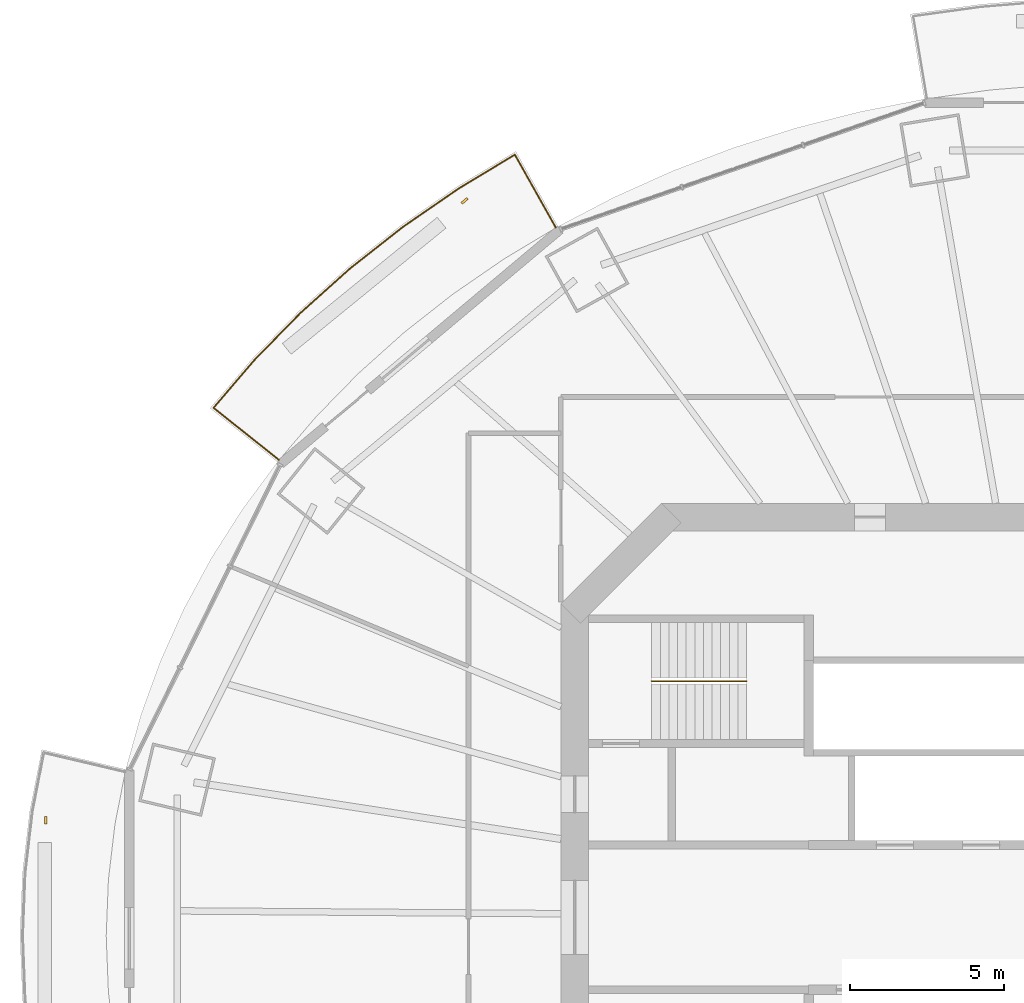
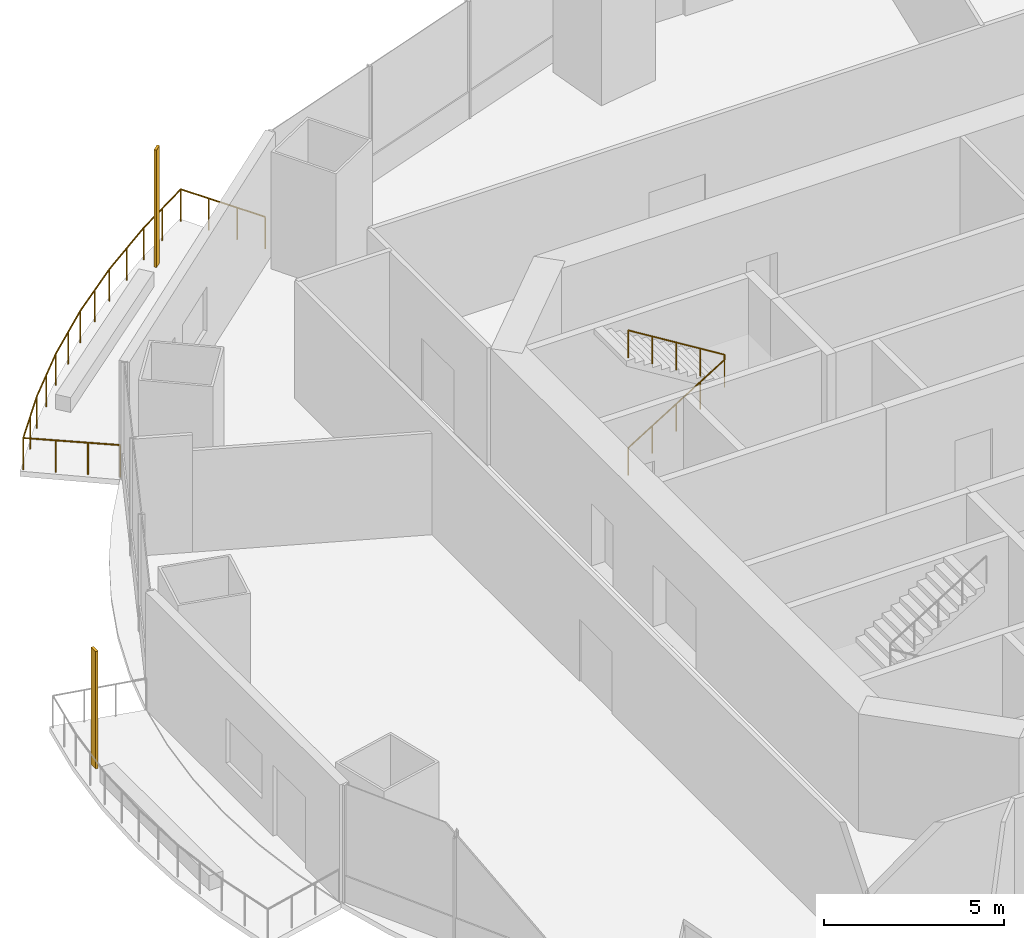
# One storey, part 18 of 21: 2 railings, 2 shading devices.
"""IFC4 building model written with IfcOpenShell, lengths in metres."""

from ifc_helpers import new_model, si_unit, direction, frame, origin, origin_2d, place, context, subcontext, project, spatial, rectangle, circle, extrude, material, material_profile, profile_set, type_object, element, save


model = new_model("IFC4")

# Units and contexts
model_context = context("Model", 3, precision=1e-05, world=origin(), true_north=direction((0.0, 1.0)))
body_context = subcontext(model_context, "Body", "Model", "MODEL_VIEW")
ifc_project = project(units=[si_unit("LENGTHUNIT", "METRE"), si_unit("AREAUNIT", "SQUARE_METRE"), si_unit("VOLUMEUNIT", "CUBIC_METRE"), si_unit("PLANEANGLEUNIT", "RADIAN"), si_unit("MASSUNIT", "GRAM", prefix="KILO")], contexts=[model_context])

# Site, building, storey
site_placement = place(None, origin())
site = spatial("IfcSite", under=ifc_project, at=site_placement, CompositionType="ELEMENT")
building_placement = place(site_placement, origin())
building = spatial("IfcBuilding", under=site, at=building_placement, Name="Marenthal Gate Tower", CompositionType="ELEMENT")
storey_placement = place(building_placement, frame((0.0, 0.0, 165.199951171875)))
storey = spatial("IfcBuildingStorey", under=building, at=storey_placement, Name="L35", CompositionType="ELEMENT", Elevation=165.199951171875)

# Railings
ifc_material_1 = material(Name="Stainless steel", Category="steel")
railing_type_1 = type_object("IfcRailingType", Name="Balcony guard 1100", PredefinedType="GUARDRAIL", material=ifc_material_1)
railing_1_placement = place(storey_placement, frame((-25.6044921875, 14.858642578125, 0.0)))
element("IfcRailing", 1, at=railing_1_placement, inside=storey, type_object=railing_type_1, Name="Balcony guard L35 bay 6", PredefinedType="GUARDRAIL", context=body_context, shape_type="SweptSolid", body=[
    extrude(circle(Radius=0.02392578125, at=origin_2d()), frame((0.0, 0.0, 1.076171875), z_axis=(-0.782541115897, 0.622424892619, -0.014719204382), x_axis=(-0.622492329303, -0.782625900388, 0.0)), (0.0, 0.0, 1.0), 2.72021484375),
    extrude(circle(Radius=0.02392578125, at=origin_2d()), frame((-2.128662109375, 1.693115234375, 1.0361328125), z_axis=(0.650279703498, 0.759694877709, 0.0), x_axis=(-0.759694877709, 0.650279703498, 0.0)), (0.0, 0.0, 1.0), 2.0439453125),
    extrude(circle(Radius=0.02392578125, at=origin_2d()), frame((-0.799560546875, 3.245849609375, 1.0361328125), z_axis=(0.699140939345, 0.714983878792, 0.0), x_axis=(-0.714983878792, 0.699140939345, 0.0)), (0.0, 0.0, 1.0), 2.14208984375),
    extrude(circle(Radius=0.02392578125, at=origin_2d()), frame((0.697998046875, 4.77734375, 1.0361328125), z_axis=(0.744641092112, 0.66746508818, 0.0), x_axis=(-0.66746508818, 0.744641092112, 0.0)), (0.0, 0.0, 1.0), 2.16064453125),
    extrude(circle(Radius=0.02392578125, at=origin_2d()), frame((2.306884765625, 6.219482421875, 1.0361328125), z_axis=(0.786162827468, 0.618019424215, 0.0), x_axis=(-0.618019424215, 0.786162827468, 0.0)), (0.0, 0.0, 1.0), 2.179443359375),
    extrude(circle(Radius=0.02392578125, at=origin_2d()), frame((4.020263671875, 7.56640625, 1.0361328125), z_axis=(0.823545660097, 0.567249985223, 0.0), x_axis=(-0.567249985223, 0.823545660097, 0.0)), (0.0, 0.0, 1.0), 2.197509765625),
    extrude(circle(Radius=0.02392578125, at=origin_2d()), frame((5.830078125, 8.81298828125, 1.0361328125), z_axis=(0.856361121068, 0.516377410741, 0.0), x_axis=(-0.516377410741, 0.856361121068, 0.0)), (0.0, 0.0, 1.0), 2.135498046875),
    extrude(circle(Radius=0.02392578125, at=origin_2d()), frame((7.658935546875, 9.915771484375, 1.0361328125), z_axis=(0.489411085686, -0.871928974406, 0.014719130397), x_axis=(0.872023442683, 0.489464110443, 0.0)), (0.0, 0.0, 1.0), 2.72021484375),
    extrude(circle(Radius=0.02099609375, at=origin_2d()), origin(), (0.0, 0.0, 1.0), 1.052001953125),
    extrude(circle(Radius=0.02099609375, at=origin_2d()), frame((-0.70947265625, 0.564453125, -0.013427734375)), (0.0, 0.0, 1.0), 1.052001953125),
    extrude(circle(Radius=0.02099609375, at=origin_2d()), frame((-1.419189453125, 1.128662109375, -0.026611328125)), (0.0, 0.0, 1.0), 1.052001953125),
    extrude(circle(Radius=0.02099609375, at=origin_2d()), frame((-2.128662109375, 1.693115234375, -0.0400390625)), (0.0, 0.0, 1.0), 1.052001953125),
    extrude(circle(Radius=0.02099609375, at=origin_2d()), frame((-1.464111328125, 2.469482421875, -0.0400390625)), (0.0, 0.0, 1.0), 1.052001953125),
    extrude(circle(Radius=0.02099609375, at=origin_2d()), frame((-0.799560546875, 3.245849609375, -0.0400390625)), (0.0, 0.0, 1.0), 1.052001953125),
    extrude(circle(Radius=0.02099609375, at=origin_2d()), frame((-0.05078125, 4.01171875, -0.0400390625)), (0.0, 0.0, 1.0), 1.052001953125),
    extrude(circle(Radius=0.02099609375, at=origin_2d()), frame((0.697998046875, 4.77734375, -0.0400390625)), (0.0, 0.0, 1.0), 1.052001953125),
    extrude(circle(Radius=0.02099609375, at=origin_2d()), frame((1.50244140625, 5.49853515625, -0.0400390625)), (0.0, 0.0, 1.0), 1.052001953125),
    extrude(circle(Radius=0.02099609375, at=origin_2d()), frame((2.306884765625, 6.219482421875, -0.0400390625)), (0.0, 0.0, 1.0), 1.052001953125),
    extrude(circle(Radius=0.02099609375, at=origin_2d()), frame((3.16357421875, 6.89306640625, -0.0400390625)), (0.0, 0.0, 1.0), 1.052001953125),
    extrude(circle(Radius=0.02099609375, at=origin_2d()), frame((4.020263671875, 7.56640625, -0.0400390625)), (0.0, 0.0, 1.0), 1.052001953125),
    extrude(circle(Radius=0.02099609375, at=origin_2d()), frame((4.92529296875, 8.189697265625, -0.0400390625)), (0.0, 0.0, 1.0), 1.052001953125),
    extrude(circle(Radius=0.02099609375, at=origin_2d()), frame((5.830078125, 8.81298828125, -0.0400390625)), (0.0, 0.0, 1.0), 1.052001953125),
    extrude(circle(Radius=0.02099609375, at=origin_2d()), frame((6.74462890625, 9.3642578125, -0.0400390625)), (0.0, 0.0, 1.0), 1.052001953125),
    extrude(circle(Radius=0.02099609375, at=origin_2d()), frame((7.658935546875, 9.915771484375, -0.0400390625)), (0.0, 0.0, 1.0), 1.052001953125),
    extrude(circle(Radius=0.02099609375, at=origin_2d()), frame((8.102783203125, 9.125244140625, -0.026611328125)), (0.0, 0.0, 1.0), 1.052001953125),
    extrude(circle(Radius=0.02099609375, at=origin_2d()), frame((8.54638671875, 8.33447265625, -0.013427734375)), (0.0, 0.0, 1.0), 1.052001953125),
    extrude(circle(Radius=0.02099609375, at=origin_2d()), frame((8.990234375, 7.5439453125, 0.0)), (0.0, 0.0, 1.0), 1.052001953125),
])
ifc_material_2 = material(Name="Stainless steel", Category="steel")
railing_type_2 = type_object("IfcRailingType", Name="Stair handrail", PredefinedType="HANDRAIL", material=ifc_material_2)
railing_2_placement = place(storey_placement, frame((-13.5, 7.675048828125, 0.1728515625)))
element("IfcRailing", 2, at=railing_2_placement, inside=storey, type_object=railing_type_2, Name="Handrail ST1", PredefinedType="HANDRAIL", context=body_context, shape_type="SweptSolid", body=[
    extrude(circle(Radius=0.0224609375, at=origin_2d()), frame((0.0, 0.0, 0.927490234375), z_axis=(0.850835241893, 0.0, 0.525432575268), x_axis=(0.0, 1.0, 0.0)), (0.0, 0.0, 1.0), 3.6201171875),
    extrude(circle(Radius=0.0224609375, at=origin_2d()), frame((3.080078125, 0.0, 2.82958984375), z_axis=(0.0, 0.0, 1.0), x_axis=(1.0, 0.0, 0.0)), (0.0, 0.0, 1.0), 0.173095703125),
    extrude(circle(Radius=0.0224609375, at=origin_2d()), frame((3.080078125, 0.0, 3.002685546875), z_axis=(-0.850835241893, 0.0, 0.525432575268), x_axis=(0.0, -1.0, 0.0)), (0.0, 0.0, 1.0), 3.6201171875),
    extrude(circle(Radius=0.02001953125, at=origin_2d()), origin(), (0.0, 0.0, 1.0), 0.905029296875),
    extrude(circle(Radius=0.02001953125, at=origin_2d()), frame((0.77001953125, 0.0, 0.4755859375)), (0.0, 0.0, 1.0), 0.905029296875),
    extrude(circle(Radius=0.02001953125, at=origin_2d()), frame((1.5400390625, 0.0, 0.951171875)), (0.0, 0.0, 1.0), 0.905029296875),
    extrude(circle(Radius=0.02001953125, at=origin_2d()), frame((2.31005859375, 0.0, 1.426513671875)), (0.0, 0.0, 1.0), 0.905029296875),
    extrude(circle(Radius=0.02001953125, at=origin_2d()), frame((3.080078125, 0.0, 1.902099609375)), (0.0, 0.0, 1.0), 0.905029296875),
    extrude(circle(Radius=0.02001953125, at=origin_2d()), frame((3.080078125, 0.0, 2.0751953125)), (0.0, 0.0, 1.0), 0.905029296875),
    extrude(circle(Radius=0.02001953125, at=origin_2d()), frame((2.31005859375, 0.0, 2.55078125)), (0.0, 0.0, 1.0), 0.905029296875),
    extrude(circle(Radius=0.02001953125, at=origin_2d()), frame((1.5400390625, 0.0, 3.0263671875)), (0.0, 0.0, 1.0), 0.905029296875),
    extrude(circle(Radius=0.02001953125, at=origin_2d()), frame((0.77001953125, 0.0, 3.501708984375)), (0.0, 0.0, 1.0), 0.905029296875),
    extrude(circle(Radius=0.02001953125, at=origin_2d()), frame((0.0, 0.0, 3.977294921875)), (0.0, 0.0, 1.0), 0.905029296875),
])

# Shading devices
ifc_material_3 = material(Name="Terracotta", Category="masonry")
ifc_material_profile = material_profile(ifc_material_3, rectangle(XDim=0.25, YDim=0.080078125, at=origin_2d()), Name="Terracotta baguette 250x80")
ifc_profile_set = profile_set([ifc_material_profile], Name="Terracotta")
shading_device_type = type_object("IfcShadingDeviceType", Name="Terracotta BAGUETTE SCREEN 250x80", PredefinedType="USERDEFINED", material=ifc_profile_set)
for number, where, z_axis, x_axis, name in (
    (3, (-19.5791015625, 23.2734375, -0.0400390625), (0.0, 0.0, 1.0), (-0.765921119211, -0.642934552771, 0.0), "Terracotta BAGUETTE L35 bay 6L"),
    (4, (-33.18701171875, 3.152099609375, -0.0400390625), (0.0, 0.0, 1.0), (0.0, -1.0, 0.0), "Terracotta BAGUETTE L35 bay 8L"),
):
    element("IfcShadingDevice", number, at=place(storey_placement, frame(where, z_axis=z_axis, x_axis=x_axis)), inside=storey, type_object=shading_device_type, Name=name, ObjectType="BAGUETTE SCREEN", PredefinedType="USERDEFINED", context=body_context, shape_type="SweptSolid", body=[
        extrude(rectangle(XDim=0.25, YDim=0.080078125, at=origin_2d()), origin(), (0.0, 0.0, 1.0), 3.969970703125),
    ])

save(model, "model.ifc")
